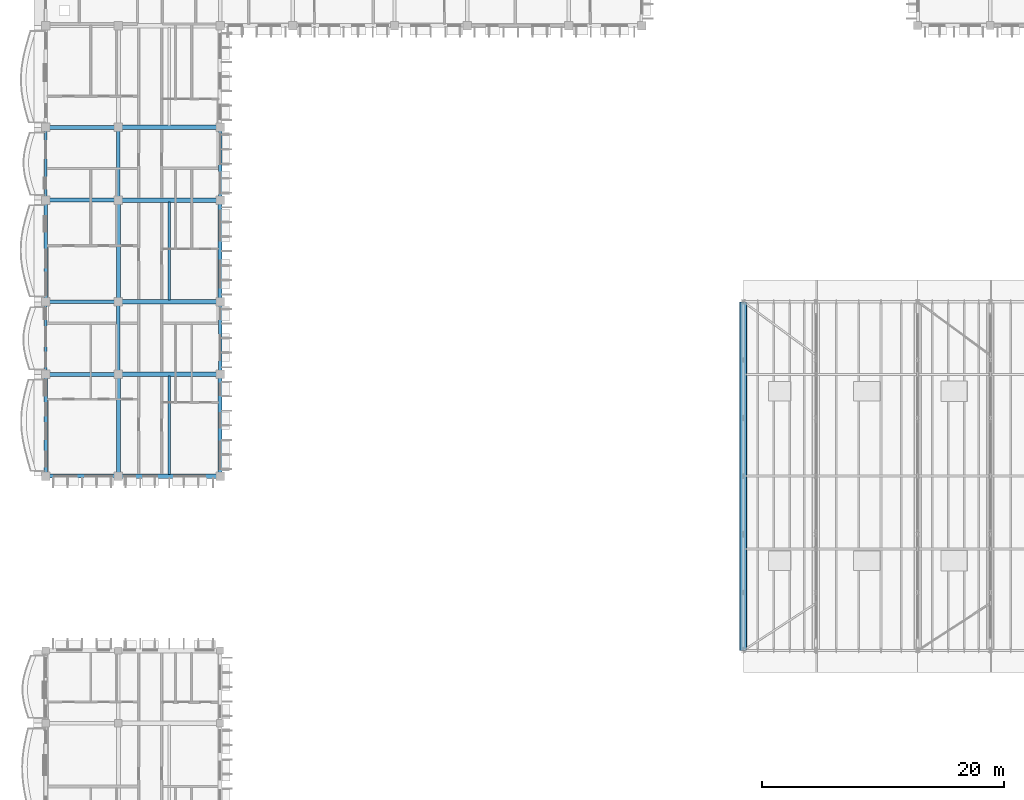
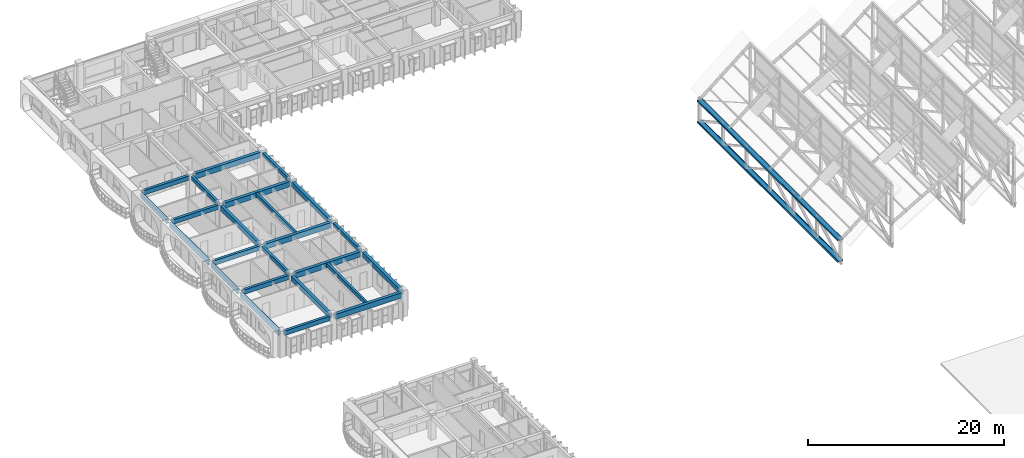
# One storey, part 19 of 101: 24 beams, 2 members.
"""IFC4 building model written with IfcOpenShell, lengths in metres."""

from ifc_helpers import new_model, si_unit, direction, frame, origin, origin_2d, place, context, subcontext, project, spatial, rectangle, i_section, extrude, material, material_profile, profile_set, type_object, element, save


model = new_model("IFC4")

# Units and contexts
model_context = context("Model", 3, precision=1e-05, world=origin(), true_north=direction((0.0, 1.0)))
body_context = subcontext(model_context, "Body", "Model", "MODEL_VIEW")
ifc_project = project(units=[si_unit("LENGTHUNIT", "METRE"), si_unit("AREAUNIT", "SQUARE_METRE"), si_unit("VOLUMEUNIT", "CUBIC_METRE"), si_unit("PLANEANGLEUNIT", "RADIAN"), si_unit("MASSUNIT", "GRAM", prefix="KILO"), si_unit("THERMODYNAMICTEMPERATUREUNIT", "KELVIN")], contexts=[model_context])

# Site, building, storey
site_placement = place(None, origin())
site = spatial("IfcSite", under=ifc_project, at=site_placement, CompositionType="ELEMENT")
building_placement = place(site_placement, origin())
building = spatial("IfcBuilding", under=site, at=building_placement, Name="Thalorik Housing Commons", CompositionType="ELEMENT")
storey_placement = place(building_placement, frame((0.0, 0.0, 8.10009765625)))
storey = spatial("IfcBuildingStorey", under=building, at=storey_placement, Name="L02", CompositionType="ELEMENT", Elevation=8.10009765625)

# Beams
ifc_material_1 = material(Name="Precast concrete C40/50", Category="concrete")
ifc_material_profile_1 = material_profile(ifc_material_1, rectangle(XDim=0.280029296875, YDim=0.449951171875, at=origin_2d()), Name="PC 280x450", Category="concrete")
ifc_profile_set_1 = profile_set([ifc_material_profile_1], Name="Precast concrete C40/50")
beam_type_1 = type_object("IfcBeamType", Name="STR-BM-PC280x450", PredefinedType="BEAM", material=ifc_profile_set_1)
beam_1_placement = place(storey_placement, frame((14.39990234375, 80.699951171875, 2.81494140625), z_axis=(0.0, 1.0, 0.0), x_axis=(-1.0, 0.0, 0.0)))
element("IfcBeam", 1, at=beam_1_placement, inside=storey, type_object=beam_type_1, Name="L02 Beam B-450", PredefinedType="BEAM", context=body_context, shape_type="SweptSolid", body=[
    extrude(rectangle(XDim=0.280029296875, YDim=0.449951171875, at=origin_2d()), origin(), (0.0, 0.0, 1.0), 5.400146484375),
])
beam_2_placement = place(storey_placement, frame((14.39990234375, 95.10009765625, 2.81494140625), z_axis=(0.0, 1.0, 0.0), x_axis=(-1.0, 0.0, 0.0)))
element("IfcBeam", 2, at=beam_2_placement, inside=storey, type_object=beam_type_1, Name="L02 Beam B-450", PredefinedType="BEAM", context=body_context, shape_type="SweptSolid", body=[
    extrude(rectangle(XDim=0.280029296875, YDim=0.449951171875, at=origin_2d()), origin(), (0.0, 0.0, 1.0), 5.39990234375),
])
beam_3_placement = place(storey_placement, frame((22.800048828125, 80.699951171875, 2.81494140625), z_axis=(0.0, 1.0, 0.0), x_axis=(-1.0, 0.0, 0.0)))
element("IfcBeam", 3, at=beam_3_placement, inside=storey, type_object=beam_type_1, Name="L02 Beam B-450", PredefinedType="BEAM", context=body_context, shape_type="SweptSolid", body=[
    extrude(rectangle(XDim=0.280029296875, YDim=0.449951171875, at=origin_2d()), origin(), (0.0, 0.0, 1.0), 5.400146484375),
])
beam_4_placement = place(storey_placement, frame((22.800048828125, 95.10009765625, 2.81494140625), z_axis=(0.0, 1.0, 0.0), x_axis=(-1.0, 0.0, 0.0)))
element("IfcBeam", 4, at=beam_4_placement, inside=storey, type_object=beam_type_1, Name="L02 Beam B-450", PredefinedType="BEAM", context=body_context, shape_type="SweptSolid", body=[
    extrude(rectangle(XDim=0.280029296875, YDim=0.449951171875, at=origin_2d()), origin(), (0.0, 0.0, 1.0), 5.39990234375),
])
ifc_material_profile_2 = material_profile(ifc_material_1, rectangle(XDim=0.320068359375, YDim=0.550048828125, at=origin_2d()), Name="PC 320x550", Category="concrete")
ifc_profile_set_2 = profile_set([ifc_material_profile_2], Name="Precast concrete C40/50")
beam_type_2 = type_object("IfcBeamType", Name="STR-BM-PC320x550", PredefinedType="BEAM", material=ifc_profile_set_2)
for number, where, z_axis, x_axis, name in (
    (5, (8.699951171875, 72.0, 2.764892578125), (1.0, 0.0, 0.0), (0.0, 1.0, 0.0), "L02 Beam B-550"),
    (6, (8.699951171875, 80.39990234375, 2.764892578125), (1.0, 0.0, 0.0), (0.0, 1.0, 0.0), "L02 Beam B-550"),
    (7, (8.699951171875, 86.39990234375, 2.764892578125), (1.0, 0.0, 0.0), (0.0, 1.0, 0.0), "L02 Beam B-550"),
    (8, (8.699951171875, 94.800048828125, 2.764892578125), (1.0, 0.0, 0.0), (0.0, 1.0, 0.0), "L02 Beam B-550"),
    (9, (8.699951171875, 100.800048828125, 2.764892578125), (1.0, 0.0, 0.0), (0.0, 1.0, 0.0), "L02 Beam B-550"),
):
    element("IfcBeam", number, at=place(storey_placement, frame(where, z_axis=z_axis, x_axis=x_axis)), inside=storey, type_object=beam_type_2, Name=name, PredefinedType="BEAM", context=body_context, shape_type="SweptSolid", body=[
        extrude(rectangle(XDim=0.320068359375, YDim=0.550048828125, at=origin_2d()), origin(), (0.0, 0.0, 1.0), 5.400146484375),
    ])
ifc_material_profile_3 = material_profile(ifc_material_1, rectangle(XDim=0.35009765625, YDim=0.60009765625, at=origin_2d()), Name="PC 350x600", Category="concrete")
ifc_profile_set_3 = profile_set([ifc_material_profile_3], Name="Precast concrete C40/50")
beam_type_3 = type_object("IfcBeamType", Name="STR-BM-PC350x600", PredefinedType="BEAM", material=ifc_profile_set_3)
for number, where, z_axis, x_axis, name in (
    (10, (14.39990234375, 72.300048828125, 2.739990234375), (0.0, 1.0, 0.0), (-1.0, 0.0, 0.0), "L02 Beam B-600"),
    (11, (14.39990234375, 86.699951171875, 2.739990234375), (0.0, 1.0, 0.0), (-1.0, 0.0, 0.0), "L02 Beam B-600"),
    (12, (22.800048828125, 72.300048828125, 2.739990234375), (0.0, 1.0, 0.0), (-1.0, 0.0, 0.0), "L02 Beam B-600"),
    (13, (22.800048828125, 86.699951171875, 2.739990234375), (0.0, 1.0, 0.0), (-1.0, 0.0, 0.0), "L02 Beam B-600"),
):
    element("IfcBeam", number, at=place(storey_placement, frame(where, z_axis=z_axis, x_axis=x_axis)), inside=storey, type_object=beam_type_3, Name=name, PredefinedType="BEAM", context=body_context, shape_type="SweptSolid", body=[
        extrude(rectangle(XDim=0.35009765625, YDim=0.60009765625, at=origin_2d()), origin(), (0.0, 0.0, 1.0), 7.800048828125),
    ])
ifc_material_profile_4 = material_profile(ifc_material_1, rectangle(XDim=0.3798828125, YDim=0.64990234375, at=origin_2d()), Name="PC 380x650", Category="concrete")
ifc_profile_set_4 = profile_set([ifc_material_profile_4], Name="Precast concrete C40/50")
beam_type_4 = type_object("IfcBeamType", Name="STR-BM-PC380x650", PredefinedType="BEAM", material=ifc_profile_set_4)
for number, where, z_axis, x_axis, name in (
    (14, (14.699951171875, 72.0, 2.71484375), (1.0, 0.0, 0.0), (0.0, 1.0, 0.0), "L02 Beam B-650"),
    (15, (14.699951171875, 80.39990234375, 2.71484375), (1.0, 0.0, 0.0), (0.0, 1.0, 0.0), "L02 Beam B-650"),
    (16, (14.699951171875, 86.39990234375, 2.71484375), (1.0, 0.0, 0.0), (0.0, 1.0, 0.0), "L02 Beam B-650"),
    (17, (14.699951171875, 94.800048828125, 2.71484375), (1.0, 0.0, 0.0), (0.0, 1.0, 0.0), "L02 Beam B-650"),
    (18, (14.699951171875, 100.800048828125, 2.71484375), (1.0, 0.0, 0.0), (0.0, 1.0, 0.0), "L02 Beam B-650"),
):
    element("IfcBeam", number, at=place(storey_placement, frame(where, z_axis=z_axis, x_axis=x_axis)), inside=storey, type_object=beam_type_4, Name=name, PredefinedType="BEAM", context=body_context, shape_type="SweptSolid", body=[
        extrude(rectangle(XDim=0.3798828125, YDim=0.64990234375, at=origin_2d()), origin(), (0.0, 0.0, 1.0), 7.800048828125),
    ])
ifc_material_profile_5 = material_profile(ifc_material_1, rectangle(XDim=0.239990234375, YDim=0.43994140625, at=origin_2d()), Name="PC JST 240x440", Category="concrete")
ifc_profile_set_5 = profile_set([ifc_material_profile_5], Name="Precast concrete C40/50")
beam_type_5 = type_object("IfcBeamType", Name="STR-JST-PC240x440", PredefinedType="JOIST", material=ifc_profile_set_5)
beam_5_placement = place(storey_placement, frame((18.60009765625, 72.139892578125, 2.81982421875), z_axis=(0.0, 1.0, 0.0), x_axis=(-1.0, 0.0, 0.0)))
element("IfcBeam", 19, at=beam_5_placement, inside=storey, type_object=beam_type_5, Name="L02 Beam J-440", PredefinedType="JOIST", context=body_context, shape_type="SweptSolid", body=[
    extrude(rectangle(XDim=0.239990234375, YDim=0.43994140625, at=origin_2d()), origin(), (0.0, 0.0, 1.0), 8.1201171875),
])
beam_6_placement = place(storey_placement, frame((18.60009765625, 86.5400390625, 2.81982421875), z_axis=(0.0, 1.0, 0.0), x_axis=(-1.0, 0.0, 0.0)))
element("IfcBeam", 20, at=beam_6_placement, inside=storey, type_object=beam_type_5, Name="L02 Beam J-440", PredefinedType="JOIST", context=body_context, shape_type="SweptSolid", body=[
    extrude(rectangle(XDim=0.239990234375, YDim=0.43994140625, at=origin_2d()), origin(), (0.0, 0.0, 1.0), 8.119873046875),
])

# Members
ifc_material_2 = material(Name="Steel S355", Category="steel")
ifc_material_profile_6 = material_profile(ifc_material_2, i_section(OverallWidth=0.22998046875, OverallDepth=0.616943359375, WebThickness=0.01318359375, FlangeThickness=0.022216796875, FilletRadius=0.012939453125, at=origin_2d()), Name="W610x140", Category="steel")
ifc_profile_set_6 = profile_set([ifc_material_profile_6], Name="Steel S355")
member_type_1 = type_object("IfcMemberType", Name="STR-MEM-CHORD-BOT", PredefinedType="CHORD", material=ifc_profile_set_6)
member_1_placement = place(storey_placement, frame((66.0, 57.60009765625, 0.349853515625), z_axis=(0.0, 1.0, 0.0), x_axis=(0.0, 0.0, 1.0)))
element("IfcMember", 21, at=member_1_placement, inside=storey, type_object=member_type_1, Name="L02 Sawtooth Truss 1 Bottom Chord", PredefinedType="CHORD", context=body_context, shape_type="SweptSolid", body=[
    extrude(i_section(OverallWidth=0.22998046875, OverallDepth=0.616943359375, WebThickness=0.01318359375, FlangeThickness=0.022216796875, FilletRadius=0.012939453125, at=origin_2d()), origin(), (0.0, 0.0, 1.0), 28.7998046875),
])
ifc_material_profile_7 = material_profile(ifc_material_2, i_section(OverallWidth=0.22802734375, OverallDepth=0.60791015625, WebThickness=0.01123046875, FlangeThickness=0.017333984375, FilletRadius=0.012939453125, at=origin_2d()), Name="W610x113", Category="steel")
ifc_profile_set_7 = profile_set([ifc_material_profile_7], Name="Steel S355")
member_type_2 = type_object("IfcMemberType", Name="STR-MEM-CHORD-TOP", PredefinedType="CHORD", material=ifc_profile_set_7)
member_2_placement = place(storey_placement, frame((66.0, 57.60009765625, 3.0), z_axis=(0.0, 1.0, 0.0), x_axis=(0.0, 0.0, 1.0)))
element("IfcMember", 22, at=member_2_placement, inside=storey, type_object=member_type_2, Name="L02 Sawtooth Truss 1 Valley Chord", PredefinedType="CHORD", context=body_context, shape_type="SweptSolid", body=[
    extrude(i_section(OverallWidth=0.22802734375, OverallDepth=0.60791015625, WebThickness=0.01123046875, FlangeThickness=0.017333984375, FilletRadius=0.012939453125, at=origin_2d()), origin(), (0.0, 0.0, 1.0), 28.7998046875),
])

# Beams
ifc_material_profile_8 = material_profile(ifc_material_1, rectangle(XDim=0.239990234375, YDim=0.580078125, at=origin_2d()), Name="PC SP 240x580", Category="concrete")
ifc_profile_set_8 = profile_set([ifc_material_profile_8], Name="Precast concrete C40/50")
beam_type_6 = type_object("IfcBeamType", Name="STR-SP-PC240x580", PredefinedType="SPANDREL", material=ifc_profile_set_8)
beam_7_placement = place(storey_placement, frame((8.39990234375, 80.699951171875, 2.75), z_axis=(0.0, 1.0, 0.0), x_axis=(-1.0, 0.0, 0.0)))
element("IfcBeam", 23, at=beam_7_placement, inside=storey, type_object=beam_type_6, Name="L02 Beam B-450", PredefinedType="SPANDREL", context=body_context, shape_type="SweptSolid", body=[
    extrude(rectangle(XDim=0.239990234375, YDim=0.580078125, at=origin_2d()), origin(), (0.0, 0.0, 1.0), 5.400146484375),
])
beam_8_placement = place(storey_placement, frame((8.39990234375, 95.10009765625, 2.75), z_axis=(0.0, 1.0, 0.0), x_axis=(-1.0, 0.0, 0.0)))
element("IfcBeam", 24, at=beam_8_placement, inside=storey, type_object=beam_type_6, Name="L02 Beam B-450", PredefinedType="SPANDREL", context=body_context, shape_type="SweptSolid", body=[
    extrude(rectangle(XDim=0.239990234375, YDim=0.580078125, at=origin_2d()), origin(), (0.0, 0.0, 1.0), 5.39990234375),
])
ifc_material_profile_9 = material_profile(ifc_material_1, rectangle(XDim=0.260009765625, YDim=0.679931640625, at=origin_2d()), Name="PC SP 260x680", Category="concrete")
ifc_profile_set_9 = profile_set([ifc_material_profile_9], Name="Precast concrete C40/50")
beam_type_7 = type_object("IfcBeamType", Name="STR-SP-PC260x680", PredefinedType="SPANDREL", material=ifc_profile_set_9)
for number, where, z_axis, x_axis, name in (
    (25, (8.39990234375, 72.300048828125, 2.699951171875), (0.0, 1.0, 0.0), (-1.0, 0.0, 0.0), "L02 Beam B-600"),
    (26, (8.39990234375, 86.699951171875, 2.699951171875), (0.0, 1.0, 0.0), (-1.0, 0.0, 0.0), "L02 Beam B-600"),
):
    element("IfcBeam", number, at=place(storey_placement, frame(where, z_axis=z_axis, x_axis=x_axis)), inside=storey, type_object=beam_type_7, Name=name, PredefinedType="SPANDREL", context=body_context, shape_type="SweptSolid", body=[
        extrude(rectangle(XDim=0.260009765625, YDim=0.679931640625, at=origin_2d()), origin(), (0.0, 0.0, 1.0), 7.800048828125),
    ])

save(model, "model.ifc")
